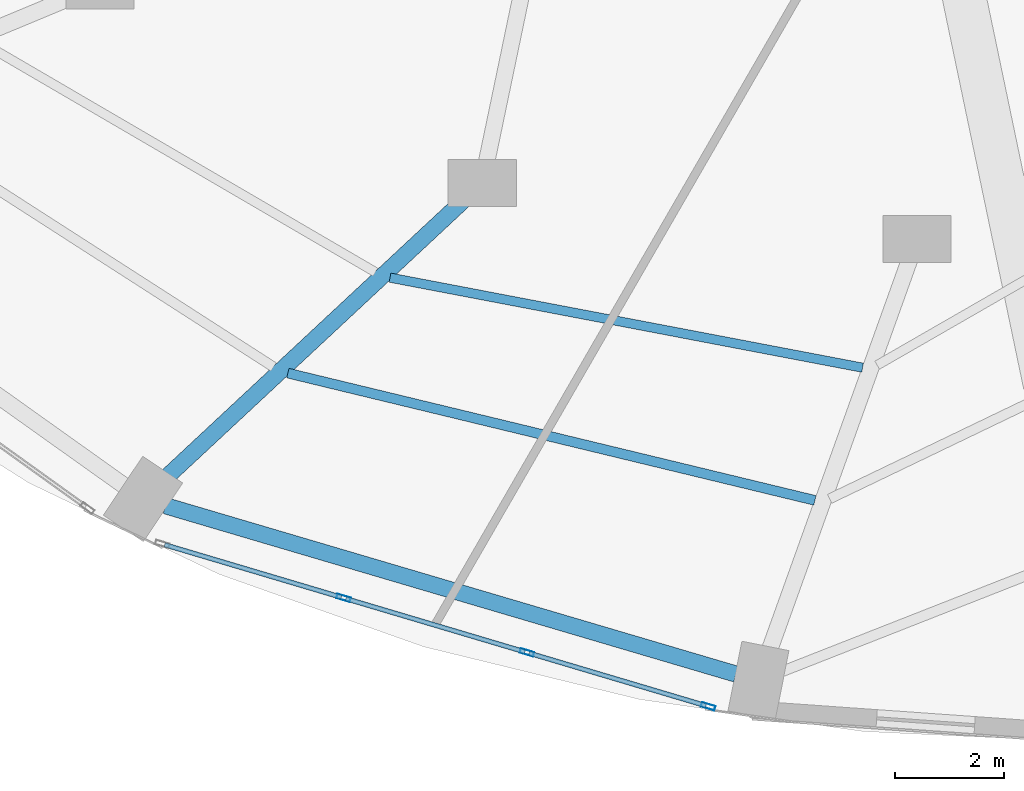
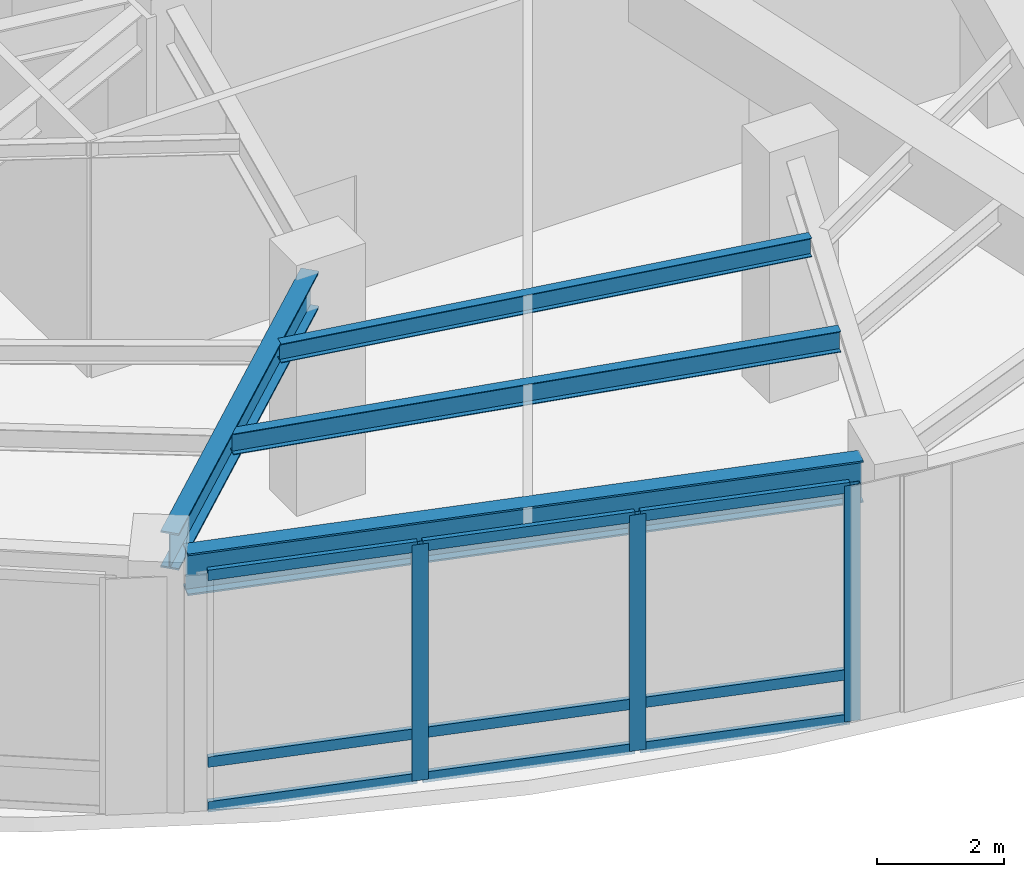
# One storey, part 3 of 24: 12 members, 4 beams, 1 element without a shape of its own.
"""IFC4 building model written with IfcOpenShell, lengths in metres."""

from ifc_helpers import new_model, si_unit, direction, frame, origin, origin_2d, place, context, subcontext, project, spatial, hollow_rectangle, i_section, extrude, material, layer, layer_set, material_profile, profile_set, type_object, element, aggregate, save


model = new_model("IFC4")

# Units and contexts
model_context = context("Model", 3, precision=1e-05, world=origin(), true_north=direction((0.0, 1.0)))
body_context = subcontext(model_context, "Body", "Model", "MODEL_VIEW")
ifc_project = project(units=[si_unit("LENGTHUNIT", "METRE"), si_unit("AREAUNIT", "SQUARE_METRE"), si_unit("VOLUMEUNIT", "CUBIC_METRE"), si_unit("PLANEANGLEUNIT", "RADIAN"), si_unit("MASSUNIT", "GRAM", prefix="KILO")], contexts=[model_context])

# Site, building, storey
site_placement = place(None, origin())
site = spatial("IfcSite", under=ifc_project, at=site_placement, CompositionType="ELEMENT")
building_placement = place(site_placement, origin())
building = spatial("IfcBuilding", under=site, at=building_placement, Name="Lazwardi Medical Tower", CompositionType="ELEMENT")
storey_placement = place(building_placement, frame((0.0, 0.0, 15.60009765625)))
storey = spatial("IfcBuildingStorey", under=building, at=storey_placement, Name="L03", CompositionType="ELEMENT", Elevation=15.60009765625)

# Beams
ifc_material_1 = material(Name="Steel S355", Category="steel")
ifc_material_profile_1 = material_profile(ifc_material_1, i_section(OverallWidth=0.300048828125, OverallDepth=0.800048828125, WebThickness=0.017578125, FlangeThickness=0.032958984375, at=origin_2d()), Name="HEB 800")
ifc_profile_set_1 = profile_set([ifc_material_profile_1], Name="Steel S355")
beam_type_1 = type_object("IfcBeamType", Name="BM-RB-P1", PredefinedType="BEAM", material=ifc_profile_set_1)
beam_1_placement = place(storey_placement, frame((19.023193359375, 6.9365234375, 4.119873046875), z_axis=(0.959103395471, -0.283055960537, 0.0), x_axis=(0.283055960537, 0.959103395471, 0.0)))
element("IfcBeam", 1, at=beam_1_placement, inside=storey, type_object=beam_type_1, Name="Ring beam RB-01 B15 L03", PredefinedType="BEAM", context=body_context, shape_type="SweptSolid", body=[
    extrude(i_section(OverallWidth=0.300048828125, OverallDepth=0.800048828125, WebThickness=0.017578125, FlangeThickness=0.032958984375, at=origin_2d()), origin(), (0.0, 0.0, 1.0), 10.904052734375),
])
ifc_material_profile_2 = material_profile(ifc_material_1, i_section(OverallWidth=0.300048828125, OverallDepth=0.699951171875, WebThickness=0.01708984375, FlangeThickness=0.031982421875, at=origin_2d()), Name="HEB 700")
ifc_profile_set_2 = profile_set([ifc_material_profile_2], Name="Steel S355")
beam_type_2 = type_object("IfcBeamType", Name="BM-RG-P1", PredefinedType="BEAM", material=ifc_profile_set_2)
beam_2_placement = place(storey_placement, frame((19.034912109375, 7.45361328125, 4.169921875), z_axis=(0.731585142998, 0.681750085108, 0.0), x_axis=(-0.681750085108, 0.731585142998, 0.0)))
element("IfcBeam", 2, at=beam_2_placement, inside=storey, type_object=beam_type_2, Name="Radial girder RG-01 R15A L03", PredefinedType="BEAM", context=body_context, shape_type="SweptSolid", body=[
    extrude(i_section(OverallWidth=0.300048828125, OverallDepth=0.699951171875, WebThickness=0.01708984375, FlangeThickness=0.031982421875, at=origin_2d()), origin(), (0.0, 0.0, 1.0), 7.52001953125),
])
ifc_material_profile_3 = material_profile(ifc_material_1, i_section(OverallWidth=0.179931640625, OverallDepth=0.39990234375, WebThickness=0.008544921875, FlangeThickness=0.013427734375, at=origin_2d()), Name="IPE 400")
ifc_profile_set_3 = profile_set([ifc_material_profile_3], Name="Steel S355")
beam_type_3 = type_object("IfcBeamType", Name="BM-SJ-01", PredefinedType="JOIST", material=ifc_profile_set_3)
beam_3_placement = place(storey_placement, frame((21.2666015625, 9.36767578125, 4.31982421875), z_axis=(0.972056312289, -0.234747791767, 0.0), x_axis=(0.234747791767, 0.972056312289, 0.0)))
element("IfcBeam", 3, at=beam_3_placement, inside=storey, type_object=beam_type_3, Name="Secondary joist SJ-01 RO1 B15 L03", PredefinedType="JOIST", context=body_context, shape_type="SweptSolid", body=[
    extrude(i_section(OverallWidth=0.179931640625, OverallDepth=0.39990234375, WebThickness=0.008544921875, FlangeThickness=0.013427734375, at=origin_2d()), origin(), (0.0, 0.0, 1.0), 9.9384765625),
])
ifc_material_profile_4 = material_profile(ifc_material_1, i_section(OverallWidth=0.169921875, OverallDepth=0.360107421875, WebThickness=0.008056640625, FlangeThickness=0.0126953125, at=origin_2d()), Name="IPE 360")
ifc_profile_set_4 = profile_set([ifc_material_profile_4], Name="Steel S355")
beam_type_4 = type_object("IfcBeamType", Name="BM-SJ-02", PredefinedType="JOIST", material=ifc_profile_set_4)
beam_4_placement = place(storey_placement, frame((23.138427734375, 11.11767578125, 4.33984375), z_axis=(0.982322570595, -0.187196066463, 0.0), x_axis=(0.187196066463, 0.982322570595, 0.0)))
element("IfcBeam", 4, at=beam_4_placement, inside=storey, type_object=beam_type_4, Name="Secondary joist SJ-02 RO2 B15 L03", PredefinedType="JOIST", context=body_context, shape_type="SweptSolid", body=[
    extrude(i_section(OverallWidth=0.169921875, OverallDepth=0.360107421875, WebThickness=0.008056640625, FlangeThickness=0.0126953125, at=origin_2d()), origin(), (0.0, 0.0, 1.0), 8.819091796875),
])

# Curtain wall, members
ifc_material_2 = material(Name="Anodised bronze aluminium and solar control glazing", Category="aluminium")
ifc_layer = layer(ifc_material_2, 0.219970703125)
ifc_layer_set = layer_set([ifc_layer], Name="Anodised bronze aluminium and solar control glazing")
curtain_wall_type = type_object("IfcCurtainWallType", Name="CW-SYS-01", PredefinedType="NOTDEFINED", material=ifc_layer_set)
curtain_wall_placement = place(storey_placement, origin())
curtain_wall = element("IfcCurtainWall", 5, at=curtain_wall_placement, inside=storey, type_object=curtain_wall_type, Name="L03 Unitised bronze curtain wall CW-01", PredefinedType="NOTDEFINED")
ifc_material_3 = material(Name="Anodised bronze aluminium", Category="aluminium")
ifc_material_profile_5 = material_profile(ifc_material_3, hollow_rectangle(XDim=0.0849609375, YDim=0.260009765625, WallThickness=0.0048828125, at=origin_2d()), Name="ALU-MULLION 260x85x5")
ifc_profile_set_5 = profile_set([ifc_material_profile_5], Name="Anodised bronze aluminium")
member_type_1 = type_object("IfcMemberType", Name="CW-MUL-02", PredefinedType="MULLION", material=ifc_profile_set_5)
member_1_placement = place(storey_placement, frame((22.28759765625, 5.245849609375, 0.0), z_axis=(0.0, 0.0, 1.0), x_axis=(0.285047195531, 0.958513482597, 0.0)))
member_1 = element("IfcMember", 6, at=member_1_placement, type_object=member_type_1, Name="CW-01 mullion 2", PredefinedType="MULLION", context=body_context, shape_type="SweptSolid", body=[
    extrude(hollow_rectangle(XDim=0.0849609375, YDim=0.260009765625, WallThickness=0.0048828125, at=origin_2d()), origin(), (0.0, 0.0, 1.0), 4.52001953125),
])
member_2_placement = place(storey_placement, frame((25.649658203125, 4.245849609375, 0.0), z_axis=(0.0, 0.0, 1.0), x_axis=(0.285047195531, 0.958513482597, 0.0)))
member_2 = element("IfcMember", 7, at=member_2_placement, type_object=member_type_1, Name="CW-01 mullion 3", PredefinedType="MULLION", context=body_context, shape_type="SweptSolid", body=[
    extrude(hollow_rectangle(XDim=0.0849609375, YDim=0.260009765625, WallThickness=0.0048828125, at=origin_2d()), origin(), (0.0, 0.0, 1.0), 4.52001953125),
])
member_3_placement = place(storey_placement, frame((28.97119140625, 3.25830078125, 0.0), z_axis=(0.0, 0.0, 1.0), x_axis=(0.285047195531, 0.958513482597, 0.0)))
member_3 = element("IfcMember", 8, at=member_3_placement, type_object=member_type_1, Name="CW-01 mullion 4", PredefinedType="MULLION", context=body_context, shape_type="SweptSolid", body=[
    extrude(hollow_rectangle(XDim=0.0849609375, YDim=0.260009765625, WallThickness=0.0048828125, at=origin_2d()), origin(), (0.0, 0.0, 1.0), 4.52001953125),
])
ifc_material_profile_6 = material_profile(ifc_material_3, hollow_rectangle(XDim=0.0849609375, YDim=0.199951171875, WallThickness=0.00439453125, at=origin_2d()), Name="ALU-TRANSOM 200x85x4.5")
ifc_profile_set_6 = profile_set([ifc_material_profile_6], Name="Anodised bronze aluminium")
member_type_2 = type_object("IfcMemberType", Name="CW-TRN-02", PredefinedType="USERDEFINED", material=ifc_profile_set_6)
member_4_placement = place(storey_placement, frame((19.0068359375, 6.221435546875, 0.04248046875), z_axis=(0.958525157923, -0.285007932572, 0.0), x_axis=(0.285007932572, 0.958525157923, 0.0)))
member_4 = element("IfcMember", 9, at=member_4_placement, type_object=member_type_2, Name="CW-01 transom 1.1", ObjectType="TRANSOM", PredefinedType="USERDEFINED", context=body_context, shape_type="SweptSolid", body=[
    extrude(hollow_rectangle(XDim=0.0849609375, YDim=0.199951171875, WallThickness=0.00439453125, at=origin_2d()), origin(), (0.0, 0.0, 1.0), 3.380126953125),
])
member_5_placement = place(storey_placement, frame((19.0068359375, 6.221435546875, 0.89990234375), z_axis=(0.958525157923, -0.285007932572, 0.0), x_axis=(0.285007932572, 0.958525157923, 0.0)))
member_5 = element("IfcMember", 10, at=member_5_placement, type_object=member_type_2, Name="CW-01 transom 1.2", ObjectType="TRANSOM", PredefinedType="USERDEFINED", context=body_context, shape_type="SweptSolid", body=[
    extrude(hollow_rectangle(XDim=0.0849609375, YDim=0.199951171875, WallThickness=0.00439453125, at=origin_2d()), origin(), (0.0, 0.0, 1.0), 3.380126953125),
])
member_6_placement = place(storey_placement, frame((19.0068359375, 6.221435546875, 4.477294921875), z_axis=(0.958525157923, -0.285007932572, 0.0), x_axis=(0.285007932572, 0.958525157923, 0.0)))
member_6 = element("IfcMember", 11, at=member_6_placement, type_object=member_type_2, Name="CW-01 transom 1.3", ObjectType="TRANSOM", PredefinedType="USERDEFINED", context=body_context, shape_type="SweptSolid", body=[
    extrude(hollow_rectangle(XDim=0.0849609375, YDim=0.199951171875, WallThickness=0.00439453125, at=origin_2d()), origin(), (0.0, 0.0, 1.0), 3.380126953125),
])
member_7_placement = place(storey_placement, frame((22.328125, 5.233642578125, 0.04248046875), z_axis=(0.958518450342, -0.285030490219, 0.0), x_axis=(0.285030490219, 0.958518450342, 0.0)))
member_7 = element("IfcMember", 12, at=member_7_placement, type_object=member_type_2, Name="CW-01 transom 2.1", ObjectType="TRANSOM", PredefinedType="USERDEFINED", context=body_context, shape_type="SweptSolid", body=[
    extrude(hollow_rectangle(XDim=0.0849609375, YDim=0.199951171875, WallThickness=0.00439453125, at=origin_2d()), origin(), (0.0, 0.0, 1.0), 3.4228515625),
])
member_8_placement = place(storey_placement, frame((22.328125, 5.233642578125, 0.89990234375), z_axis=(0.958518450342, -0.285030490219, 0.0), x_axis=(0.285030490219, 0.958518450342, 0.0)))
member_8 = element("IfcMember", 13, at=member_8_placement, type_object=member_type_2, Name="CW-01 transom 2.2", ObjectType="TRANSOM", PredefinedType="USERDEFINED", context=body_context, shape_type="SweptSolid", body=[
    extrude(hollow_rectangle(XDim=0.0849609375, YDim=0.199951171875, WallThickness=0.00439453125, at=origin_2d()), origin(), (0.0, 0.0, 1.0), 3.4228515625),
])
member_9_placement = place(storey_placement, frame((22.328125, 5.233642578125, 4.477294921875), z_axis=(0.958518450342, -0.285030490219, 0.0), x_axis=(0.285030490219, 0.958518450342, 0.0)))
member_9 = element("IfcMember", 14, at=member_9_placement, type_object=member_type_2, Name="CW-01 transom 2.3", ObjectType="TRANSOM", PredefinedType="USERDEFINED", context=body_context, shape_type="SweptSolid", body=[
    extrude(hollow_rectangle(XDim=0.0849609375, YDim=0.199951171875, WallThickness=0.00439453125, at=origin_2d()), origin(), (0.0, 0.0, 1.0), 3.4228515625),
])
member_10_placement = place(storey_placement, frame((25.6904296875, 4.23388671875, 0.04248046875), z_axis=(0.958505424522, -0.285074290603, 0.0), x_axis=(0.285074290603, 0.958505424522, 0.0)))
member_10 = element("IfcMember", 15, at=member_10_placement, type_object=member_type_2, Name="CW-01 transom 3.1", ObjectType="TRANSOM", PredefinedType="USERDEFINED", context=body_context, shape_type="SweptSolid", body=[
    extrude(hollow_rectangle(XDim=0.0849609375, YDim=0.199951171875, WallThickness=0.00439453125, at=origin_2d()), origin(), (0.0, 0.0, 1.0), 3.38037109375),
])
member_11_placement = place(storey_placement, frame((25.6904296875, 4.23388671875, 0.89990234375), z_axis=(0.958505424522, -0.285074290603, 0.0), x_axis=(0.285074290603, 0.958505424522, 0.0)))
member_11 = element("IfcMember", 16, at=member_11_placement, type_object=member_type_2, Name="CW-01 transom 3.2", ObjectType="TRANSOM", PredefinedType="USERDEFINED", context=body_context, shape_type="SweptSolid", body=[
    extrude(hollow_rectangle(XDim=0.0849609375, YDim=0.199951171875, WallThickness=0.00439453125, at=origin_2d()), origin(), (0.0, 0.0, 1.0), 3.38037109375),
])
member_12_placement = place(storey_placement, frame((25.6904296875, 4.23388671875, 4.477294921875), z_axis=(0.958505424522, -0.285074290603, 0.0), x_axis=(0.285074290603, 0.958505424522, 0.0)))
member_12 = element("IfcMember", 17, at=member_12_placement, type_object=member_type_2, Name="CW-01 transom 3.3", ObjectType="TRANSOM", PredefinedType="USERDEFINED", context=body_context, shape_type="SweptSolid", body=[
    extrude(hollow_rectangle(XDim=0.0849609375, YDim=0.199951171875, WallThickness=0.00439453125, at=origin_2d()), origin(), (0.0, 0.0, 1.0), 3.38037109375),
])
aggregate(curtain_wall, [member_1, member_2, member_3, member_4, member_5, member_6, member_7, member_8, member_9, member_10, member_11, member_12])

save(model, "model.ifc")
